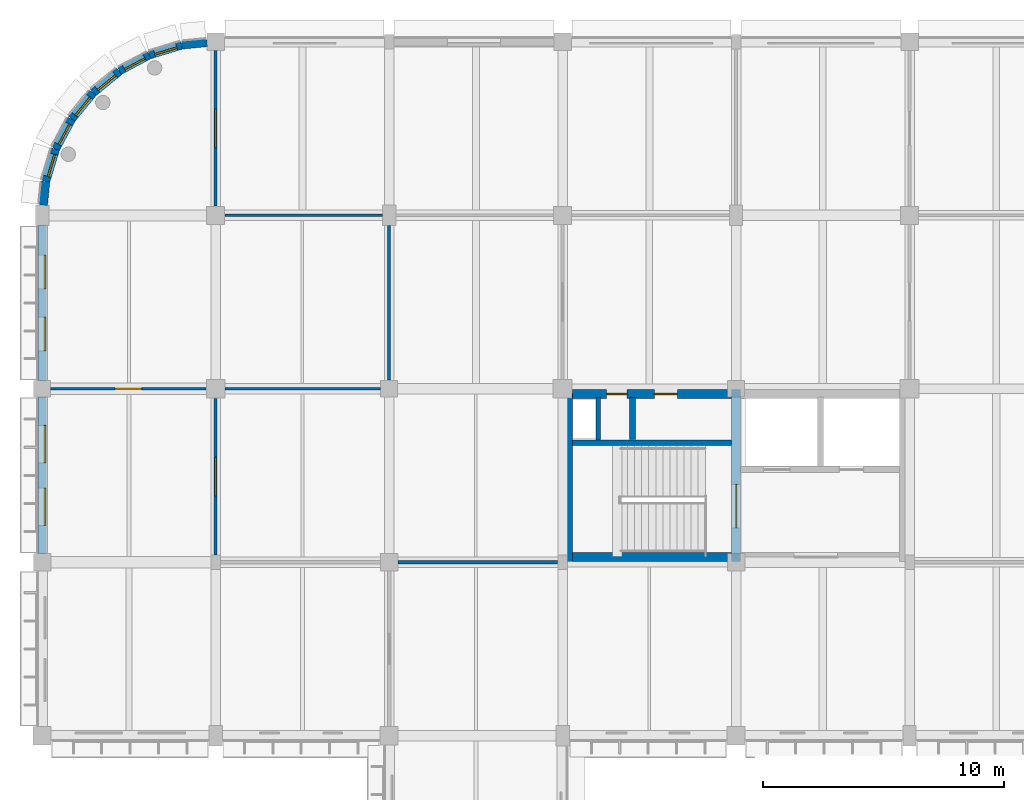
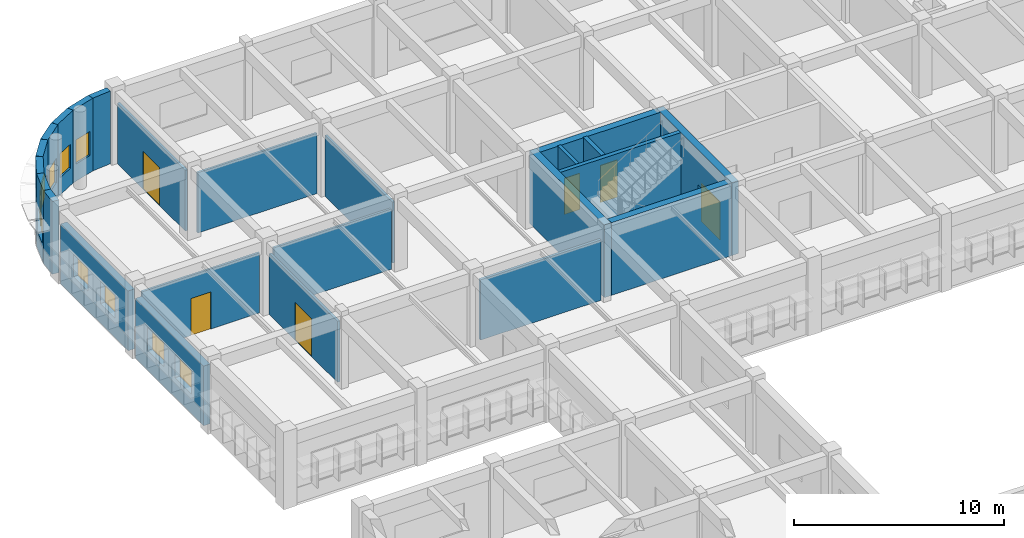
# One storey, part 44 of 61: 24 walls, 10 windows, 6 doors, 16 openings.
"""IFC4 building model written with IfcOpenShell, lengths in metres."""

import ifcopenshell
import ifcopenshell.guid

model = None  # the IFC model being written
_history = None  # IfcOwnerHistory: only IFC2X3 demands one
_inside = {}  # id of a spatial element -> (the spatial element, [elements in it])
_under = {}  # id of a project, library or spatial element -> (it, [spatial elements below it])
_declared = {}  # id of a project -> (the project, [libraries it declares])
_typed = {}  # id of a type object -> (the type object, [elements of that type])
_made_of = {}  # id of a material, layer set ... -> (it, [elements and type objects made of it])


def new_model(schema):
    """Start an empty IFC model of exactly this schema.

    Asked for "IFC4X3", IfcOpenShell would pick the latest addendum, in which some entities
    have other attributes; the version numbers below select the first issue.
    IFC2X3 requires an IfcOwnerHistory on every rooted entity: one is made here for all.
    """
    global model, _history
    if schema == "IFC4X3":
        model = ifcopenshell.file(schema_version=(4, 3, 0, 0))
    else:
        model = ifcopenshell.file(schema=schema)
    _inside.clear()
    _under.clear()
    _declared.clear()
    _typed.clear()
    _made_of.clear()
    _history = None
    if model.schema == "IFC2X3":
        org = make("IfcOrganization", Name="unknown")
        user = make(
            "IfcPersonAndOrganization",
            ThePerson=make("IfcPerson", FamilyName="unknown"),
            TheOrganization=org,
        )
        app = make(
            "IfcApplication",
            ApplicationDeveloper=org,
            Version="unknown",
            ApplicationFullName="unknown",
            ApplicationIdentifier="unknown",
        )
        _history = make(
            "IfcOwnerHistory",
            OwningUser=user,
            OwningApplication=app,
            ChangeAction="ADDED",
            CreationDate=0,
        )
    return model


def make(cls, **values):
    """One entity of the class cls with the attributes given. An attribute that is None is left unset."""
    return model.create_entity(
        cls, **{name: value for name, value in values.items() if value is not None}
    )


def rooted(cls, **values):
    """An entity with a GlobalId (a new one), such as an element, a storey or a relation."""
    return make(cls, GlobalId=ifcopenshell.guid.new(), OwnerHistory=_history, **values)


def si_unit(unit_type, name, prefix=None):
    """IfcSIUnit, for example si_unit("LENGTHUNIT", "METRE", prefix="MILLI")."""
    return make("IfcSIUnit", UnitType=unit_type, Prefix=prefix, Name=name)


def assignment(units):
    """IfcUnitAssignment: the units of a project."""
    return None if units is None else make("IfcUnitAssignment", Units=units)


def point(xyz):
    """IfcCartesianPoint."""
    return None if xyz is None else make("IfcCartesianPoint", Coordinates=xyz)


def direction(xyz):
    """IfcDirection."""
    return None if xyz is None else make("IfcDirection", DirectionRatios=xyz)


def frame(location, z_axis=None, x_axis=None):
    """IfcAxis2Placement3D, a coordinate frame: its origin and axes. An axis left out is left unset."""
    return make(
        "IfcAxis2Placement3D",
        Location=point(location),
        Axis=direction(z_axis),
        RefDirection=direction(x_axis),
    )


def frame_2d(location, x_axis=None):
    """IfcAxis2Placement2D, a coordinate frame in the plane: its origin and x axis."""
    return make(
        "IfcAxis2Placement2D", Location=point(location), RefDirection=direction(x_axis)
    )


def origin():
    """The frame at (0, 0, 0) with its axes left unset."""
    return frame((0.0, 0.0, 0.0))


def place(relative_to, where):
    """IfcLocalPlacement: puts the frame where relative to a parent placement (None: the world)."""
    return make(
        "IfcLocalPlacement", PlacementRelTo=relative_to, RelativePlacement=where
    )


def context(
    kind, dimensions, precision=None, world=None, true_north=None, identifier=None
):
    """IfcGeometricRepresentationContext, for example the 3D "Model" context."""
    return make(
        "IfcGeometricRepresentationContext",
        ContextIdentifier=identifier,
        ContextType=kind,
        CoordinateSpaceDimension=dimensions,
        Precision=precision,
        WorldCoordinateSystem=world,
        TrueNorth=true_north,
    )


def subcontext(parent, identifier, kind, view, scale=None):
    """IfcGeometricRepresentationSubContext, for example "Body" below "Model"."""
    return make(
        "IfcGeometricRepresentationSubContext",
        ContextIdentifier=identifier,
        ContextType=kind,
        ParentContext=parent,
        TargetScale=scale,
        TargetView=view,
    )


def project(units=None, contexts=None):
    """IfcProject with its units and contexts."""
    return rooted(
        "IfcProject",
        Name="project",
        RepresentationContexts=contexts,
        UnitsInContext=assignment(units),
    )


def spatial(cls, under=None, at=None, **own):
    """A site, building, storey or space (cls), placed at a placement, below another one or the project."""
    s = rooted(cls, ObjectPlacement=at, **own)
    if under is not None:
        _under.setdefault(under.id(), (under, []))[1].append(s)
    return s


def profile(cls, at=None, kind="AREA", **sizes):
    """A parametric profile (cls). Its sizes go by their IFC names, for example OverallWidth=200.0."""
    return make(cls, ProfileType=kind, Position=at, **sizes)


def rectangle(**sizes):
    """IfcRectangleProfileDef."""
    return profile("IfcRectangleProfileDef", **sizes)


def extrude(swept, where, along, depth):
    """IfcExtrudedAreaSolid: the profile swept, set in the frame where, extruded along a direction by depth."""
    return make(
        "IfcExtrudedAreaSolid",
        SweptArea=swept,
        Position=where,
        ExtrudedDirection=direction(along),
        Depth=depth,
    )


def shape(context_of_items, identifier, shape_type, items):
    """IfcShapeRepresentation: the items that make up one representation, for example the "Body"."""
    return make(
        "IfcShapeRepresentation",
        ContextOfItems=context_of_items,
        RepresentationIdentifier=identifier,
        RepresentationType=shape_type,
        Items=items,
    )


def material(Name=None, Category=None):
    """IfcMaterial."""
    return make("IfcMaterial", Name=Name, Category=Category)


def layer(
    of_material, thickness, ventilated=None, Name=None, Category=None, Priority=None
):
    """IfcMaterialLayer: one layer of a wall or slab, of a material (None: an air gap)."""
    return make(
        "IfcMaterialLayer",
        Material=of_material,
        LayerThickness=thickness,
        IsVentilated=ventilated,
        Name=Name,
        Category=Category,
        Priority=Priority,
    )


def layer_set(layers, Name=None):
    """IfcMaterialLayerSet."""
    return make("IfcMaterialLayerSet", MaterialLayers=layers, LayerSetName=Name)


def made_of(thing, what):
    """Note that an element or type object is made of a material, layer set ...; save() writes the relation."""
    if what is not None:
        _made_of.setdefault(what.id(), (what, []))[1].append(thing)
    return thing


def type_object(cls, material=None, **own):
    """A type object (cls), such as IfcWallType, which elements share."""
    return made_of(rooted(cls, **own), material)


def element(
    cls,
    number,
    at=None,
    inside=None,
    cuts=None,
    type_object=None,
    material=None,
    context=None,
    identifier="Body",
    shape_type=None,
    held_by="IfcProductDefinitionShape",
    body=None,
    shapes=None,
    **own,
):
    """One element of the class cls, such as IfcWall. Its Tag is "e" and its number.

    at: its placement. inside: the storey or other place that contains it. cuts: it is an
    opening in that element (IfcRelVoidsElement). A single representation is given by context,
    identifier, shape_type and body (its items); several are given by shapes. held_by: the class
    of the entity that holds the representations. save() writes the other relations.
    """
    e = rooted(cls, Tag="e%d" % number, ObjectPlacement=at, **own)
    if body is not None:
        shapes = [shape(context, identifier, shape_type, body)]
    if shapes is not None:
        e.Representation = make(held_by, Representations=shapes)
    if inside is not None:
        _inside.setdefault(inside.id(), (inside, []))[1].append(e)
    if cuts is not None:
        rooted(
            "IfcRelVoidsElement", RelatingBuildingElement=cuts, RelatedOpeningElement=e
        )
    if type_object is not None:
        _typed.setdefault(type_object.id(), (type_object, []))[1].append(e)
    return made_of(e, material)


def fill(opening, filler):
    """IfcRelFillsElement: the door or window that sits in an opening."""
    return rooted(
        "IfcRelFillsElement",
        RelatingOpeningElement=opening,
        RelatedBuildingElement=filler,
    )


def aggregate(whole, parts):
    """IfcRelAggregates: a whole, such as a stair, and the parts it consists of."""
    return rooted("IfcRelAggregates", RelatingObject=whole, RelatedObjects=parts)


def save(model, path):
    """Write the relations noted so far, then the file.

    IfcRelAggregates (storeys below a building ...), IfcRelContainedInSpatialStructure (elements
    in a storey), IfcRelDefinesByType, IfcRelAssociatesMaterial and IfcRelDeclares: one each for
    every whole, place, type object, material and project.
    """
    for whole, parts in _under.values():
        aggregate(whole, parts)
    for where, things in _inside.values():
        rooted(
            "IfcRelContainedInSpatialStructure",
            RelatedElements=things,
            RelatingStructure=where,
        )
    for kind, things in _typed.values():
        rooted("IfcRelDefinesByType", RelatedObjects=things, RelatingType=kind)
    for what, things in _made_of.values():
        rooted("IfcRelAssociatesMaterial", RelatedObjects=things, RelatingMaterial=what)
    for by, libraries in _declared.values():
        rooted("IfcRelDeclares", RelatingContext=by, RelatedDefinitions=libraries)
    model.write(path)


model = new_model("IFC4")

# Units and contexts
model_context = context("Model", 3, precision=1e-05, world=origin(), true_north=direction((0.0, 1.0)))
body_context = subcontext(model_context, "Body", "Model", "MODEL_VIEW")
ifc_project = project(units=[si_unit("LENGTHUNIT", "METRE"), si_unit("AREAUNIT", "SQUARE_METRE"), si_unit("VOLUMEUNIT", "CUBIC_METRE"), si_unit("PLANEANGLEUNIT", "RADIAN"), si_unit("MASSUNIT", "GRAM", prefix="KILO")], contexts=[model_context])

# Site, building, storey
site_placement = place(None, origin())
site = spatial("IfcSite", under=ifc_project, at=site_placement, CompositionType="ELEMENT")
building_placement = place(site_placement, origin())
building = spatial("IfcBuilding", under=site, at=building_placement, Name="Thalmaran Polytechnic", CompositionType="ELEMENT")
storey_placement = place(building_placement, frame((0.0, 0.0, 9.89990234375)))
storey = spatial("IfcBuildingStorey", under=building, at=storey_placement, Name="L02", CompositionType="ELEMENT", Elevation=9.89990234375)

# Wall, openings, windows
ifc_material_1 = material(Name="Precast concrete C40/50", Category="concrete")
ifc_layer_1 = layer(ifc_material_1, 0.360107421875, Name="Precast concrete C40/50")
ifc_layer_set_1 = layer_set([ifc_layer_1], Name="Precast concrete C40/50")
wall_type_1 = type_object("IfcWallType", Name="WL-EW01", PredefinedType="STANDARD", material=ifc_layer_set_1)
wall_1_placement = place(storey_placement, frame((0.0, 101.159912109375, 0.0), z_axis=(0.0, 0.0, 1.0), x_axis=(0.0, 1.0, 0.0)))
wall_1 = element("IfcWall", 1, at=wall_1_placement, inside=storey, type_object=wall_type_1, Name="Exterior Precast Facade Wall L02-019", PredefinedType="STANDARD", context=body_context, shape_type="SweptSolid", body=[
    extrude(rectangle(XDim=6.489990234375, YDim=0.360107421875, at=frame_2d((3.2451171875, 0.0))), origin(), (0.0, 0.0, 1.0), 3.47021484375),
])
opening_1_placement = place(wall_1_placement, frame((1.172119140625, 0.0, 1.14990234375)))
opening_1 = element("IfcOpeningElement", 2, at=opening_1_placement, cuts=wall_1, Name="Opening VW09", PredefinedType="OPENING", context=body_context, shape_type="SweptSolid", body=[
    extrude(rectangle(XDim=1.550048828125, YDim=1.35009765625, at=frame_2d((0.77490234375, 0.675048828125))), frame((0.0, 0.18994140625, 0.0), z_axis=(0.0, -1.0, 0.0), x_axis=(1.0, 0.0, 0.0)), (0.0, 0.0, 1.0), 0.380126953125),
])
opening_2_placement = place(wall_1_placement, frame((3.76806640625, 0.0, 1.14990234375)))
opening_2 = element("IfcOpeningElement", 3, at=opening_2_placement, cuts=wall_1, Name="Opening VW09", PredefinedType="OPENING", context=body_context, shape_type="SweptSolid", body=[
    extrude(rectangle(XDim=1.550048828125, YDim=1.35009765625, at=frame_2d((0.77490234375, 0.675048828125))), frame((0.0, 0.18994140625, 0.0), z_axis=(0.0, -1.0, 0.0), x_axis=(1.0, 0.0, 0.0)), (0.0, 0.0, 1.0), 0.380126953125),
])
ifc_material_2 = material(Name="Thermally broken aluminium and double low-E glass", Category="aluminium")
window_type_1 = type_object("IfcWindowType", Name="WN-VZ09", PartitioningType="SINGLE_PANEL", PredefinedType="WINDOW", material=ifc_material_2)
window_1_placement = place(opening_1_placement, origin())
window_1 = element("IfcWindow", 4, at=window_1_placement, inside=storey, type_object=window_type_1, Name="Deep-Set Solar-Screened Window W-0219", OverallHeight=1.35009765625, OverallWidth=1.550048828125, PartitioningType="SINGLE_PANEL", PredefinedType="WINDOW", context=body_context, shape_type="SweptSolid", body=[
    extrude(rectangle(XDim=1.550048828125, YDim=1.35009765625, at=frame_2d((0.77490234375, 0.675048828125))), frame((0.0, -0.080078125, 0.0), z_axis=(0.0, -1.0, 0.0), x_axis=(1.0, 0.0, 0.0)), (0.0, 0.0, 1.0), 0.06005859375),
])
fill(opening_1, window_1)
window_2_placement = place(opening_2_placement, origin())
window_2 = element("IfcWindow", 5, at=window_2_placement, inside=storey, type_object=window_type_1, Name="Deep-Set Solar-Screened Window W-0220", OverallHeight=1.35009765625, OverallWidth=1.550048828125, PartitioningType="SINGLE_PANEL", PredefinedType="WINDOW", context=body_context, shape_type="SweptSolid", body=[
    extrude(rectangle(XDim=1.550048828125, YDim=1.35009765625, at=frame_2d((0.77490234375, 0.675048828125))), frame((0.0, -0.080078125, 0.0), z_axis=(0.0, -1.0, 0.0), x_axis=(1.0, 0.0, 0.0)), (0.0, 0.0, 1.0), 0.06005859375),
])
fill(opening_2, window_2)

wall_2_placement = place(storey_placement, frame((0.0, 108.35009765625, 0.0), z_axis=(0.0, 0.0, 1.0), x_axis=(0.0, 1.0, 0.0)))
wall_2 = element("IfcWall", 6, at=wall_2_placement, inside=storey, type_object=wall_type_1, Name="Exterior Precast Facade Wall L02-020", PredefinedType="STANDARD", context=body_context, shape_type="SweptSolid", body=[
    extrude(rectangle(XDim=6.4248046875, YDim=0.360107421875, at=frame_2d((3.21240234375, 0.0))), origin(), (0.0, 0.0, 1.0), 3.47021484375),
])
opening_3_placement = place(wall_2_placement, frame((1.2275390625, 0.0, 1.14990234375)))
opening_3 = element("IfcOpeningElement", 7, at=opening_3_placement, cuts=wall_2, Name="Opening VW10", PredefinedType="OPENING", context=body_context, shape_type="SweptSolid", body=[
    extrude(rectangle(XDim=1.39990234375, YDim=1.300048828125, at=frame_2d((0.699951171875, 0.64990234375))), frame((0.0, 0.18994140625, 0.0), z_axis=(0.0, -1.0, 0.0), x_axis=(1.0, 0.0, 0.0)), (0.0, 0.0, 1.0), 0.380126953125),
])
opening_4_placement = place(wall_2_placement, frame((3.797607421875, 0.0, 1.14990234375)))
opening_4 = element("IfcOpeningElement", 8, at=opening_4_placement, cuts=wall_2, Name="Opening VW10", PredefinedType="OPENING", context=body_context, shape_type="SweptSolid", body=[
    extrude(rectangle(XDim=1.39990234375, YDim=1.300048828125, at=frame_2d((0.699951171875, 0.64990234375))), frame((0.0, 0.18994140625, 0.0), z_axis=(0.0, -1.0, 0.0), x_axis=(1.0, 0.0, 0.0)), (0.0, 0.0, 1.0), 0.380126953125),
])
window_type_2 = type_object("IfcWindowType", Name="WN-VZ10", PartitioningType="SINGLE_PANEL", PredefinedType="WINDOW", material=ifc_material_2)
window_3_placement = place(opening_3_placement, origin())
window_3 = element("IfcWindow", 9, at=window_3_placement, inside=storey, type_object=window_type_2, Name="Deep-Set Solar-Screened Window W-0221", OverallHeight=1.300048828125, OverallWidth=1.39990234375, PartitioningType="SINGLE_PANEL", PredefinedType="WINDOW", context=body_context, shape_type="SweptSolid", body=[
    extrude(rectangle(XDim=1.39990234375, YDim=1.300048828125, at=frame_2d((0.699951171875, 0.64990234375))), frame((0.0, -0.080078125, 0.0), z_axis=(0.0, -1.0, 0.0), x_axis=(1.0, 0.0, 0.0)), (0.0, 0.0, 1.0), 0.06005859375),
])
fill(opening_3, window_3)
window_4_placement = place(opening_4_placement, origin())
window_4 = element("IfcWindow", 10, at=window_4_placement, inside=storey, type_object=window_type_2, Name="Deep-Set Solar-Screened Window W-0222", OverallHeight=1.300048828125, OverallWidth=1.39990234375, PartitioningType="SINGLE_PANEL", PredefinedType="WINDOW", context=body_context, shape_type="SweptSolid", body=[
    extrude(rectangle(XDim=1.39990234375, YDim=1.300048828125, at=frame_2d((0.699951171875, 0.64990234375))), frame((0.0, -0.080078125, 0.0), z_axis=(0.0, -1.0, 0.0), x_axis=(1.0, 0.0, 0.0)), (0.0, 0.0, 1.0), 0.06005859375),
])
fill(opening_4, window_4)

# Wall
wall_3_placement = place(storey_placement, frame((0.041748046875, 115.623046875, 0.0), z_axis=(0.0, 0.0, 1.0), x_axis=(0.09800882272, 0.99518554585, 0.0)))
element("IfcWall", 11, at=wall_3_placement, inside=storey, type_object=wall_type_1, Name="Exterior Precast Facade Wall L02-021", PredefinedType="STANDARD", context=body_context, shape_type="SweptSolid", body=[
    extrude(rectangle(XDim=0.986328125, YDim=0.360107421875, at=frame_2d((0.4931640625, 0.0))), origin(), (0.0, 0.0, 1.0), 4.22509765625),
])

# Wall, opening, window
wall_4_placement = place(storey_placement, frame((0.138427734375, 116.604736328125, 0.0), z_axis=(0.0, 0.0, 1.0), x_axis=(0.290266641956, 0.956945806495, 0.0)))
wall_4 = element("IfcWall", 12, at=wall_4_placement, inside=storey, type_object=wall_type_1, Name="Exterior Precast Facade Wall L02-022", PredefinedType="STANDARD", context=body_context, shape_type="SweptSolid", body=[
    extrude(rectangle(XDim=1.411376953125, YDim=0.360107421875, at=frame_2d((0.70556640625, 0.0))), origin(), (0.0, 0.0, 1.0), 4.22509765625),
])
opening_5_placement = place(wall_4_placement, frame((0.2255859375, 0.0, 1.0)))
opening_5 = element("IfcOpeningElement", 13, at=opening_5_placement, cuts=wall_4, Name="Opening CR01", PredefinedType="OPENING", context=body_context, shape_type="SweptSolid", body=[
    extrude(rectangle(XDim=0.9599609375, YDim=1.39990234375, at=frame_2d((0.47998046875, 0.699951171875))), frame((0.0, 0.18994140625, 0.0), z_axis=(0.0, -1.0, 0.0), x_axis=(1.0, 0.0, 0.0)), (0.0, 0.0, 1.0), 0.380126953125),
])
window_type_3 = type_object("IfcWindowType", Name="WN-CR01", PartitioningType="SINGLE_PANEL", PredefinedType="WINDOW", material=ifc_material_2)
window_5_placement = place(opening_5_placement, origin())
window_5 = element("IfcWindow", 14, at=window_5_placement, inside=storey, type_object=window_type_3, Name="Curved Prow Ribbon Window W-0223", OverallHeight=1.39990234375, OverallWidth=0.9599609375, PartitioningType="SINGLE_PANEL", PredefinedType="WINDOW", context=body_context, shape_type="SweptSolid", body=[
    extrude(rectangle(XDim=0.9599609375, YDim=1.39990234375, at=frame_2d((0.47998046875, 0.699951171875))), frame((0.0, -0.010009765625, 0.0), z_axis=(0.0, -1.0, 0.0), x_axis=(1.0, 0.0, 0.0)), (0.0, 0.0, 1.0), 0.06005859375),
])
fill(opening_5, window_5)

wall_5_placement = place(storey_placement, frame((0.548095703125, 117.955322265625, 0.0), z_axis=(0.0, 0.0, 1.0), x_axis=(0.471333199182, 0.881955222984, 0.0)))
wall_5 = element("IfcWall", 15, at=wall_5_placement, inside=storey, type_object=wall_type_1, Name="Exterior Precast Facade Wall L02-023", PredefinedType="STANDARD", context=body_context, shape_type="SweptSolid", body=[
    extrude(rectangle(XDim=1.411376953125, YDim=0.360107421875, at=frame_2d((0.70556640625, 0.0))), origin(), (0.0, 0.0, 1.0), 4.22509765625),
])
opening_6_placement = place(wall_5_placement, frame((0.2255859375, 0.0, 1.0)))
opening_6 = element("IfcOpeningElement", 16, at=opening_6_placement, cuts=wall_5, Name="Opening CR01", PredefinedType="OPENING", context=body_context, shape_type="SweptSolid", body=[
    extrude(rectangle(XDim=0.9599609375, YDim=1.39990234375, at=frame_2d((0.47998046875, 0.699951171875))), frame((0.0, 0.18994140625, 0.0), z_axis=(0.0, -1.0, 0.0), x_axis=(1.0, 0.0, 0.0)), (0.0, 0.0, 1.0), 0.380126953125),
])
window_6_placement = place(opening_6_placement, origin())
window_6 = element("IfcWindow", 17, at=window_6_placement, inside=storey, type_object=window_type_3, Name="Curved Prow Ribbon Window W-0224", OverallHeight=1.39990234375, OverallWidth=0.9599609375, PartitioningType="SINGLE_PANEL", PredefinedType="WINDOW", context=body_context, shape_type="SweptSolid", body=[
    extrude(rectangle(XDim=0.9599609375, YDim=1.39990234375, at=frame_2d((0.47998046875, 0.699951171875))), frame((0.0, -0.010009765625, 0.0), z_axis=(0.0, -1.0, 0.0), x_axis=(1.0, 0.0, 0.0)), (0.0, 0.0, 1.0), 0.06005859375),
])
fill(opening_6, window_6)

wall_6_placement = place(storey_placement, frame((1.21337890625, 119.2001953125, 0.0), z_axis=(0.0, 0.0, 1.0), x_axis=(0.634433227965, 0.772977670605, 0.0)))
wall_6 = element("IfcWall", 18, at=wall_6_placement, inside=storey, type_object=wall_type_1, Name="Exterior Precast Facade Wall L02-024", PredefinedType="STANDARD", context=body_context, shape_type="SweptSolid", body=[
    extrude(rectangle(XDim=1.41162109375, YDim=0.360107421875, at=frame_2d((0.705810546875, 0.0))), origin(), (0.0, 0.0, 1.0), 4.22509765625),
])
opening_7_placement = place(wall_6_placement, frame((0.2255859375, 0.0, 1.0)))
opening_7 = element("IfcOpeningElement", 19, at=opening_7_placement, cuts=wall_6, Name="Opening CR01", PredefinedType="OPENING", context=body_context, shape_type="SweptSolid", body=[
    extrude(rectangle(XDim=0.9599609375, YDim=1.39990234375, at=frame_2d((0.47998046875, 0.699951171875))), frame((0.0, 0.18994140625, 0.0), z_axis=(0.0, -1.0, 0.0), x_axis=(1.0, 0.0, 0.0)), (0.0, 0.0, 1.0), 0.380126953125),
])
window_7_placement = place(opening_7_placement, origin())
window_7 = element("IfcWindow", 20, at=window_7_placement, inside=storey, type_object=window_type_3, Name="Curved Prow Ribbon Window W-0225", OverallHeight=1.39990234375, OverallWidth=0.9599609375, PartitioningType="SINGLE_PANEL", PredefinedType="WINDOW", context=body_context, shape_type="SweptSolid", body=[
    extrude(rectangle(XDim=0.9599609375, YDim=1.39990234375, at=frame_2d((0.47998046875, 0.699951171875))), frame((0.0, -0.010009765625, 0.0), z_axis=(0.0, -1.0, 0.0), x_axis=(1.0, 0.0, 0.0)), (0.0, 0.0, 1.0), 0.06005859375),
])
fill(opening_7, window_7)

wall_7_placement = place(storey_placement, frame((2.10888671875, 120.291259765625, 0.0), z_axis=(0.0, 0.0, 1.0), x_axis=(0.773062495189, 0.63432986571, 0.0)))
wall_7 = element("IfcWall", 21, at=wall_7_placement, inside=storey, type_object=wall_type_1, Name="Exterior Precast Facade Wall L02-025", PredefinedType="STANDARD", context=body_context, shape_type="SweptSolid", body=[
    extrude(rectangle(XDim=1.411376953125, YDim=0.360107421875, at=frame_2d((0.70556640625, 0.0))), origin(), (0.0, 0.0, 1.0), 4.22509765625),
])
opening_8_placement = place(wall_7_placement, frame((0.2255859375, 0.0, 1.0)))
opening_8 = element("IfcOpeningElement", 22, at=opening_8_placement, cuts=wall_7, Name="Opening CR01", PredefinedType="OPENING", context=body_context, shape_type="SweptSolid", body=[
    extrude(rectangle(XDim=0.9599609375, YDim=1.39990234375, at=frame_2d((0.47998046875, 0.699951171875))), frame((0.0, 0.18994140625, 0.0), z_axis=(0.0, -1.0, 0.0), x_axis=(1.0, 0.0, 0.0)), (0.0, 0.0, 1.0), 0.380126953125),
])
window_8_placement = place(opening_8_placement, origin())
window_8 = element("IfcWindow", 23, at=window_8_placement, inside=storey, type_object=window_type_3, Name="Curved Prow Ribbon Window W-0226", OverallHeight=1.39990234375, OverallWidth=0.9599609375, PartitioningType="SINGLE_PANEL", PredefinedType="WINDOW", context=body_context, shape_type="SweptSolid", body=[
    extrude(rectangle(XDim=0.9599609375, YDim=1.39990234375, at=frame_2d((0.47998046875, 0.699951171875))), frame((0.0, -0.010009765625, 0.0), z_axis=(0.0, -1.0, 0.0), x_axis=(1.0, 0.0, 0.0)), (0.0, 0.0, 1.0), 0.06005859375),
])
fill(opening_8, window_8)

ifc_layer_2 = layer(ifc_material_1, 0.330078125, Name="Precast concrete C40/50")
ifc_layer_set_2 = layer_set([ifc_layer_2], Name="Precast concrete C40/50")
wall_type_2 = type_object("IfcWallType", Name="WL-EW02", PredefinedType="STANDARD", material=ifc_layer_set_2)
wall_8_placement = place(storey_placement, frame((3.199951171875, 121.1865234375, 0.0), z_axis=(0.0, 0.0, 1.0), x_axis=(0.881844864465, 0.471539643102, 0.0)))
wall_8 = element("IfcWall", 24, at=wall_8_placement, inside=storey, type_object=wall_type_2, Name="Exterior Precast Facade Wall L02-026", PredefinedType="STANDARD", context=body_context, shape_type="SweptSolid", body=[
    extrude(rectangle(XDim=1.411376953125, YDim=0.330078125, at=frame_2d((0.70556640625, 0.0))), origin(), (0.0, 0.0, 1.0), 4.22509765625),
])
opening_9_placement = place(wall_8_placement, frame((0.2255859375, 0.0, 1.0)))
opening_9 = element("IfcOpeningElement", 25, at=opening_9_placement, cuts=wall_8, Name="Opening CR01", PredefinedType="OPENING", context=body_context, shape_type="SweptSolid", body=[
    extrude(rectangle(XDim=0.9599609375, YDim=1.39990234375, at=frame_2d((0.47998046875, 0.699951171875))), frame((0.0, 0.175048828125, 0.0), z_axis=(0.0, -1.0, 0.0), x_axis=(1.0, 0.0, 0.0)), (0.0, 0.0, 1.0), 0.35009765625),
])
window_9_placement = place(opening_9_placement, origin())
window_9 = element("IfcWindow", 26, at=window_9_placement, inside=storey, type_object=window_type_3, Name="Curved Prow Ribbon Window W-0227", OverallHeight=1.39990234375, OverallWidth=0.9599609375, PartitioningType="SINGLE_PANEL", PredefinedType="WINDOW", context=body_context, shape_type="SweptSolid", body=[
    extrude(rectangle(XDim=0.9599609375, YDim=1.39990234375, at=frame_2d((0.47998046875, 0.699951171875))), frame((0.0, -0.010009765625, 0.0), z_axis=(0.0, -1.0, 0.0), x_axis=(1.0, 0.0, 0.0)), (0.0, 0.0, 1.0), 0.06005859375),
])
fill(opening_9, window_9)

wall_9_placement = place(storey_placement, frame((4.444580078125, 121.85205078125, 0.0), z_axis=(0.0, 0.0, 1.0), x_axis=(0.95696037757, 0.290218599957, 0.0)))
wall_9 = element("IfcWall", 27, at=wall_9_placement, inside=storey, type_object=wall_type_2, Name="Exterior Precast Facade Wall L02-027", PredefinedType="STANDARD", context=body_context, shape_type="SweptSolid", body=[
    extrude(rectangle(XDim=1.41162109375, YDim=0.330078125, at=frame_2d((0.705810546875, 0.0))), origin(), (0.0, 0.0, 1.0), 4.22509765625),
])
opening_10_placement = place(wall_9_placement, frame((0.2255859375, 0.0, 1.0)))
opening_10 = element("IfcOpeningElement", 28, at=opening_10_placement, cuts=wall_9, Name="Opening CR01", PredefinedType="OPENING", context=body_context, shape_type="SweptSolid", body=[
    extrude(rectangle(XDim=0.9599609375, YDim=1.39990234375, at=frame_2d((0.47998046875, 0.699951171875))), frame((0.0, 0.175048828125, 0.0), z_axis=(0.0, -1.0, 0.0), x_axis=(1.0, 0.0, 0.0)), (0.0, 0.0, 1.0), 0.35009765625),
])
window_10_placement = place(opening_10_placement, origin())
window_10 = element("IfcWindow", 29, at=window_10_placement, inside=storey, type_object=window_type_3, Name="Curved Prow Ribbon Window W-0228", OverallHeight=1.39990234375, OverallWidth=0.9599609375, PartitioningType="SINGLE_PANEL", PredefinedType="WINDOW", context=body_context, shape_type="SweptSolid", body=[
    extrude(rectangle(XDim=0.9599609375, YDim=1.39990234375, at=frame_2d((0.47998046875, 0.699951171875))), frame((0.0, -0.010009765625, 0.0), z_axis=(0.0, -1.0, 0.0), x_axis=(1.0, 0.0, 0.0)), (0.0, 0.0, 1.0), 0.06005859375),
])
fill(opening_10, window_10)

# Walls
wall_10_placement = place(storey_placement, frame((5.79541015625, 122.26171875, 0.0), z_axis=(0.0, 0.0, 1.0), x_axis=(0.995187764733, 0.097986289481, 0.0)))
element("IfcWall", 30, at=wall_10_placement, inside=storey, type_object=wall_type_2, Name="Exterior Precast Facade Wall L02-028", PredefinedType="STANDARD", context=body_context, shape_type="SweptSolid", body=[
    extrude(rectangle(XDim=1.051513671875, YDim=0.330078125, at=frame_2d((0.52587890625, 0.0))), origin(), (0.0, 0.0, 1.0), 4.22509765625),
])
ifc_material_3 = material(Name="Autoclaved aerated masonry", Category="masonry")
ifc_layer_3 = layer(ifc_material_3, 0.22998046875, Name="Autoclaved aerated masonry")
ifc_layer_set_3 = layer_set([ifc_layer_3], Name="Autoclaved aerated masonry")
wall_type_3 = type_object("IfcWallType", Name="WL-IW02", PredefinedType="PARTITIONING", material=ifc_layer_set_3)
wall_11_placement = place(storey_placement, frame((24.5, 105.89990234375, 0.0), z_axis=(0.0, 0.0, 1.0), x_axis=(0.0, 1.0, 0.0)))
element("IfcWall", 31, at=wall_11_placement, inside=storey, type_object=wall_type_3, Name="Core C2 Riser Partition L02", PredefinedType="PARTITIONING", context=body_context, shape_type="SweptSolid", body=[
    extrude(rectangle(XDim=1.739990234375, YDim=0.22998046875, at=frame_2d((0.8701171875, 0.0))), origin(), (0.0, 0.0, 1.0), 4.22509765625),
])
ifc_layer_4 = layer(ifc_material_3, 0.179931640625, Name="Autoclaved aerated masonry")
ifc_layer_set_4 = layer_set([ifc_layer_4], Name="Autoclaved aerated masonry")
wall_type_4 = type_object("IfcWallType", Name="WL-IW04", PredefinedType="PARTITIONING", material=ifc_layer_set_4)
wall_12_placement = place(storey_placement, frame((23.080078125, 105.8798828125, 0.0), z_axis=(0.0, 0.0, 1.0), x_axis=(0.0, 1.0, 0.0)))
element("IfcWall", 32, at=wall_12_placement, inside=storey, type_object=wall_type_4, Name="Core C2 Riser Shaft Enclosure Wall L02", PredefinedType="PARTITIONING", context=body_context, shape_type="SweptSolid", body=[
    extrude(rectangle(XDim=1.760009765625, YDim=0.179931640625, at=frame_2d((0.8798828125, 0.0))), origin(), (0.0, 0.0, 1.0), 4.22509765625),
])
ifc_material_4 = material(Name="Gypsum acoustic partition")
ifc_layer_5 = layer(ifc_material_4, 0.14501953125, Name="Gypsum acoustic partition")
ifc_layer_set_5 = layer_set([ifc_layer_5], Name="Gypsum acoustic partition")
wall_type_5 = type_object("IfcWallType", Name="WL-IW06", PredefinedType="PARTITIONING", material=ifc_layer_set_5)
wall_13_placement = place(storey_placement, frame((14.764892578125, 100.800048828125, 0.0), z_axis=(0.0, 0.0, 1.0), x_axis=(1.0, 0.0, 0.0)))
element("IfcWall", 33, at=wall_13_placement, inside=storey, type_object=wall_type_5, Name="Interior Partition IW06 L02-035", PredefinedType="PARTITIONING", context=body_context, shape_type="SweptSolid", body=[
    extrude(rectangle(XDim=6.630126953125, YDim=0.14501953125, at=frame_2d((3.31494140625, 0.0))), origin(), (0.0, 0.0, 1.0), 3.505126953125),
])

# Wall, opening, door
ifc_layer_6 = layer(ifc_material_4, 0.1298828125, Name="Gypsum acoustic partition")
ifc_layer_set_6 = layer_set([ifc_layer_6], Name="Gypsum acoustic partition")
wall_type_6 = type_object("IfcWallType", Name="WL-IW07", PredefinedType="PARTITIONING", material=ifc_layer_set_6)
wall_14_placement = place(storey_placement, frame((7.199951171875, 101.10498046875, 0.0), z_axis=(0.0, 0.0, 1.0), x_axis=(0.0, 1.0, 0.0)))
wall_14 = element("IfcWall", 34, at=wall_14_placement, inside=storey, type_object=wall_type_6, Name="Interior Partition IW07 L02-014", PredefinedType="PARTITIONING", context=body_context, shape_type="SweptSolid", body=[
    extrude(rectangle(XDim=6.5, YDim=0.1298828125, at=frame_2d((3.25, 0.0))), origin(), (0.0, 0.0, 1.0), 3.5400390625),
])
opening_11_placement = place(wall_14_placement, frame((2.449951171875, 0.0, 0.0)))
opening_11 = element("IfcOpeningElement", 35, at=opening_11_placement, cuts=wall_14, Name="Opening D-L02-016-2-03-1", PredefinedType="OPENING", context=body_context, shape_type="SweptSolid", body=[
    extrude(rectangle(XDim=1.60009765625, YDim=2.199951171875, at=frame_2d((0.800048828125, 1.10009765625))), frame((0.0, 0.074951171875, 0.0), z_axis=(0.0, -1.0, 0.0), x_axis=(1.0, 0.0, 0.0)), (0.0, 0.0, 1.0), 0.14990234375),
])
ifc_material_5 = material(Name="Powder-coated fire-rated steel", Category="steel")
door_type_1 = type_object("IfcDoorType", Name="DR-FD05", OperationType="NOTDEFINED", PredefinedType="DOOR", material=ifc_material_5)
door_1_placement = place(opening_11_placement, origin())
door_1 = element("IfcDoor", 36, at=door_1_placement, inside=storey, type_object=door_type_1, Name="Technical Reference Library Reading Room L02-03 Door 1", OperationType="DOUBLE_DOOR_SINGLE_SWING", OverallHeight=2.199951171875, OverallWidth=1.60009765625, PredefinedType="DOOR", context=body_context, shape_type="SweptSolid", body=[
    extrude(rectangle(XDim=1.60009765625, YDim=2.199951171875, at=frame_2d((0.800048828125, 1.10009765625))), frame((0.0, 0.02490234375, 0.0), z_axis=(0.0, -1.0, 0.0), x_axis=(1.0, 0.0, 0.0)), (0.0, 0.0, 1.0), 0.050048828125),
])
fill(opening_11, door_1)

wall_15_placement = place(storey_placement, frame((7.199951171875, 115.580078125, 0.0), z_axis=(0.0, 0.0, 1.0), x_axis=(0.0, 1.0, 0.0)))
wall_15 = element("IfcWall", 37, at=wall_15_placement, inside=storey, type_object=wall_type_6, Name="Interior Partition IW07 L02-016", PredefinedType="PARTITIONING", context=body_context, shape_type="SweptSolid", body=[
    extrude(rectangle(XDim=6.454833984375, YDim=0.1298828125, at=frame_2d((3.2275390625, 0.0))), origin(), (0.0, 0.0, 1.0), 3.530029296875),
])
opening_12_placement = place(wall_15_placement, frame((2.427490234375, 0.0, 0.0)))
opening_12 = element("IfcOpeningElement", 38, at=opening_12_placement, cuts=wall_15, Name="Opening D-L02-017-2-04-1", PredefinedType="OPENING", context=body_context, shape_type="SweptSolid", body=[
    extrude(rectangle(XDim=1.60009765625, YDim=2.199951171875, at=frame_2d((0.800048828125, 1.10009765625))), frame((0.0, 0.074951171875, 0.0), z_axis=(0.0, -1.0, 0.0), x_axis=(1.0, 0.0, 0.0)), (0.0, 0.0, 1.0), 0.14990234375),
])
door_2_placement = place(opening_12_placement, origin())
door_2 = element("IfcDoor", 39, at=door_2_placement, inside=storey, type_object=door_type_1, Name="Polytechnic Library Reading Hall L02-04 Door 1", OperationType="DOUBLE_DOOR_SINGLE_SWING", OverallHeight=2.199951171875, OverallWidth=1.60009765625, PredefinedType="DOOR", context=body_context, shape_type="SweptSolid", body=[
    extrude(rectangle(XDim=1.60009765625, YDim=2.199951171875, at=frame_2d((0.800048828125, 1.10009765625))), frame((0.0, 0.02490234375, 0.0), z_axis=(0.0, -1.0, 0.0), x_axis=(1.0, 0.0, 0.0)), (0.0, 0.0, 1.0), 0.050048828125),
])
fill(opening_12, door_2)

# Wall
wall_16_placement = place(storey_placement, frame((14.39990234375, 108.35498046875, 0.0), z_axis=(0.0, 0.0, 1.0), x_axis=(0.0, 1.0, 0.0)))
element("IfcWall", 40, at=wall_16_placement, inside=storey, type_object=wall_type_6, Name="Interior Partition IW07 L02-030", PredefinedType="PARTITIONING", context=body_context, shape_type="SweptSolid", body=[
    extrude(rectangle(XDim=6.4150390625, YDim=0.1298828125, at=frame_2d((3.20751953125, 0.0))), origin(), (0.0, 0.0, 1.0), 3.53515625),
])

# Wall, opening, door
ifc_layer_7 = layer(ifc_material_4, 0.114990234375, Name="Gypsum acoustic partition")
ifc_layer_set_7 = layer_set([ifc_layer_7], Name="Gypsum acoustic partition")
wall_type_7 = type_object("IfcWallType", Name="WL-IW08", PredefinedType="PARTITIONING", material=ifc_layer_set_7)
wall_17_placement = place(storey_placement, frame((0.35498046875, 108.0, 0.0), z_axis=(0.0, 0.0, 1.0), x_axis=(1.0, 0.0, 0.0)))
wall_17 = element("IfcWall", 41, at=wall_17_placement, inside=storey, type_object=wall_type_7, Name="Interior Partition IW08 L02-015", PredefinedType="PARTITIONING", context=body_context, shape_type="SweptSolid", body=[
    extrude(rectangle(XDim=6.449951171875, YDim=0.114990234375, at=frame_2d((3.22509765625, 0.0))), origin(), (0.0, 0.0, 1.0), 3.485107421875),
])
opening_13_placement = place(wall_17_placement, frame((2.675048828125, 0.0, 0.0)))
opening_13 = element("IfcOpeningElement", 42, at=opening_13_placement, cuts=wall_17, Name="Opening D-L02-015-2-02-1", PredefinedType="OPENING", context=body_context, shape_type="SweptSolid", body=[
    extrude(rectangle(XDim=1.10009765625, YDim=2.14990234375, at=frame_2d((0.550048828125, 1.074951171875))), frame((0.0, 0.0673828125, 0.0), z_axis=(0.0, -1.0, 0.0), x_axis=(1.0, 0.0, 0.0)), (0.0, 0.0, 1.0), 0.135009765625),
])
door_type_2 = type_object("IfcDoorType", Name="DR-FD07", OperationType="NOTDEFINED", PredefinedType="DOOR", material=ifc_material_5)
door_3_placement = place(opening_13_placement, origin())
door_3 = element("IfcDoor", 43, at=door_3_placement, inside=storey, type_object=door_type_2, Name="Urban Design Studio L02-02 Door 1", OperationType="SINGLE_SWING_RIGHT", OverallHeight=2.14990234375, OverallWidth=1.10009765625, PredefinedType="DOOR", context=body_context, shape_type="SweptSolid", body=[
    extrude(rectangle(XDim=1.10009765625, YDim=2.14990234375, at=frame_2d((0.550048828125, 1.074951171875))), frame((0.0, 0.02490234375, 0.0), z_axis=(0.0, -1.0, 0.0), x_axis=(1.0, 0.0, 0.0)), (0.0, 0.0, 1.0), 0.050048828125),
])
fill(opening_13, door_3)

# Walls
wall_18_placement = place(storey_placement, frame((7.594970703125, 108.0, 0.0), z_axis=(0.0, 0.0, 1.0), x_axis=(1.0, 0.0, 0.0)))
element("IfcWall", 44, at=wall_18_placement, inside=storey, type_object=wall_type_7, Name="Interior Partition IW08 L02-029", PredefinedType="PARTITIONING", context=body_context, shape_type="SweptSolid", body=[
    extrude(rectangle(XDim=6.449951171875, YDim=0.114990234375, at=frame_2d((3.22509765625, 0.0))), origin(), (0.0, 0.0, 1.0), 3.5),
])
wall_19_placement = place(storey_placement, frame((7.580078125, 115.199951171875, 0.0), z_axis=(0.0, 0.0, 1.0), x_axis=(1.0, 0.0, 0.0)))
element("IfcWall", 45, at=wall_19_placement, inside=storey, type_object=wall_type_7, Name="Interior Partition IW08 L02-031", PredefinedType="PARTITIONING", context=body_context, shape_type="SweptSolid", body=[
    extrude(rectangle(XDim=6.5400390625, YDim=0.114990234375, at=frame_2d((3.27001953125, 0.0))), origin(), (0.0, 0.0, 1.0), 3.5),
])
ifc_material_6 = material(Name="Concrete C50/60", Category="concrete")
ifc_layer_8 = layer(ifc_material_6, 0.3798828125, Name="Concrete C50/60")
ifc_layer_set_8 = layer_set([ifc_layer_8], Name="Concrete C50/60")
wall_type_8 = type_object("IfcWallType", Name="WL-SW02", PredefinedType="SHEAR", material=ifc_layer_set_8)
wall_20_placement = place(storey_placement, frame((22.010009765625, 101.02001953125, 0.0), z_axis=(0.0, 0.0, 1.0), x_axis=(1.0, 0.0, 0.0)))
element("IfcWall", 46, at=wall_20_placement, inside=storey, type_object=wall_type_8, Name="Core C2 South Shear Wall L02", PredefinedType="SHEAR", context=body_context, shape_type="SweptSolid", body=[
    extrude(rectangle(XDim=6.60009765625, YDim=0.3798828125, at=frame_2d((3.300048828125, 0.0))), origin(), (0.0, 0.0, 1.0), 4.22509765625),
])
wall_21_placement = place(storey_placement, frame((21.820068359375, 107.969970703125, 0.0), z_axis=(0.0, 0.0, 1.0), x_axis=(0.0, -1.0, 0.0)))
element("IfcWall", 47, at=wall_21_placement, inside=storey, type_object=wall_type_8, Name="Core C2 West Shear Wall L02", PredefinedType="SHEAR", context=body_context, shape_type="SweptSolid", body=[
    extrude(rectangle(XDim=7.139892578125, YDim=0.3798828125, at=frame_2d((3.56982421875, 0.0))), origin(), (0.0, 0.0, 1.0), 4.22509765625),
])

# Wall, openings, doors
wall_22_placement = place(storey_placement, frame((22.010009765625, 107.780029296875, 0.0), z_axis=(0.0, 0.0, 1.0), x_axis=(1.0, 0.0, 0.0)))
wall_22 = element("IfcWall", 48, at=wall_22_placement, inside=storey, type_object=wall_type_8, Name="Core C2 North Shear Wall L02", PredefinedType="SHEAR", context=body_context, shape_type="SweptSolid", body=[
    extrude(rectangle(XDim=6.60009765625, YDim=0.3798828125, at=frame_2d((3.300048828125, 0.0))), origin(), (0.0, 0.0, 1.0), 4.22509765625),
])
opening_14_placement = place(wall_22_placement, frame((1.419921875, 0.0, 0.0)))
opening_14 = element("IfcOpeningElement", 49, at=opening_14_placement, cuts=wall_22, Name="Opening DR-C2-L02-R", PredefinedType="OPENING", context=body_context, shape_type="SweptSolid", body=[
    extrude(rectangle(XDim=0.85009765625, YDim=2.10009765625, at=frame_2d((0.425048828125, 1.050048828125))), frame((0.0, 0.199951171875, 0.0), z_axis=(0.0, -1.0, 0.0), x_axis=(1.0, 0.0, 0.0)), (0.0, 0.0, 1.0), 0.39990234375),
])
opening_15_placement = place(wall_22_placement, frame((3.39990234375, 0.0, 0.0)))
opening_15 = element("IfcOpeningElement", 50, at=opening_15_placement, cuts=wall_22, Name="Opening ED-C2-L02-E", PredefinedType="OPENING", context=body_context, shape_type="SweptSolid", body=[
    extrude(rectangle(XDim=0.949951171875, YDim=2.14990234375, at=frame_2d((0.47509765625, 1.074951171875))), frame((0.0, 0.199951171875, 0.0), z_axis=(0.0, -1.0, 0.0), x_axis=(1.0, 0.0, 0.0)), (0.0, 0.0, 1.0), 0.39990234375),
])
door_type_3 = type_object("IfcDoorType", Name="DR-FD08", OperationType="NOTDEFINED", PredefinedType="DOOR", material=ifc_material_5)
door_4_placement = place(opening_15_placement, origin())
door_4 = element("IfcDoor", 51, at=door_4_placement, inside=storey, type_object=door_type_3, Name="Electrical Riser Door C2 L02", OperationType="SINGLE_SWING_RIGHT", OverallHeight=2.14990234375, OverallWidth=0.949951171875, PredefinedType="DOOR", context=body_context, shape_type="SweptSolid", body=[
    extrude(rectangle(XDim=0.949951171875, YDim=2.14990234375, at=frame_2d((0.47509765625, 1.074951171875))), frame((0.0, 0.02490234375, 0.0), z_axis=(0.0, -1.0, 0.0), x_axis=(1.0, 0.0, 0.0)), (0.0, 0.0, 1.0), 0.050048828125),
])
fill(opening_15, door_4)
door_type_4 = type_object("IfcDoorType", Name="DR-FD09", OperationType="NOTDEFINED", PredefinedType="DOOR", material=ifc_material_5)
door_5_placement = place(opening_14_placement, origin())
door_5 = element("IfcDoor", 52, at=door_5_placement, inside=storey, type_object=door_type_4, Name="Riser Access Fire Door C2 L02", OperationType="SINGLE_SWING_RIGHT", OverallHeight=2.10009765625, OverallWidth=0.85009765625, PredefinedType="DOOR", context=body_context, shape_type="SweptSolid", body=[
    extrude(rectangle(XDim=0.85009765625, YDim=2.10009765625, at=frame_2d((0.425048828125, 1.050048828125))), frame((0.0, 0.02490234375, 0.0), z_axis=(0.0, -1.0, 0.0), x_axis=(1.0, 0.0, 0.0)), (0.0, 0.0, 1.0), 0.050048828125),
])
fill(opening_14, door_5)

# Wall
wall_23_placement = place(storey_placement, frame((22.010009765625, 105.760009765625, 0.0), z_axis=(0.0, 0.0, 1.0), x_axis=(1.0, 0.0, 0.0)))
element("IfcWall", 53, at=wall_23_placement, inside=storey, type_object=wall_type_8, Name="Core C2 Stair Partition L02", PredefinedType="SHEAR", context=body_context, shape_type="SweptSolid", body=[
    extrude(rectangle(XDim=6.60009765625, YDim=0.219970703125, at=frame_2d((3.300048828125, 0.0))), origin(), (0.0, 0.0, 1.0), 4.22509765625),
])

# Wall, opening, door
wall_24_placement = place(storey_placement, frame((28.800048828125, 100.830078125, 0.0), z_axis=(0.0, 0.0, 1.0), x_axis=(0.0, 1.0, 0.0)))
wall_24 = element("IfcWall", 54, at=wall_24_placement, inside=storey, type_object=wall_type_8, Name="Core C2 Stair-Lobby Dividing Shear Wall L02", PredefinedType="SHEAR", context=body_context, shape_type="SweptSolid", body=[
    extrude(rectangle(XDim=7.139892578125, YDim=0.3798828125, at=frame_2d((3.56982421875, 0.0))), origin(), (0.0, 0.0, 1.0), 4.22509765625),
])
opening_16_placement = place(wall_24_placement, frame((1.39990234375, 0.0, 0.0)))
opening_16 = element("IfcOpeningElement", 55, at=opening_16_placement, cuts=wall_24, Name="Opening SD-ST2-L02", PredefinedType="OPENING", context=body_context, shape_type="SweptSolid", body=[
    extrude(rectangle(XDim=1.800048828125, YDim=2.199951171875, at=frame_2d((0.89990234375, 1.10009765625))), frame((0.0, 0.199951171875, 0.0), z_axis=(0.0, -1.0, 0.0), x_axis=(1.0, 0.0, 0.0)), (0.0, 0.0, 1.0), 0.39990234375),
])
door_type_5 = type_object("IfcDoorType", Name="DR-FD03", OperationType="NOTDEFINED", PredefinedType="DOOR", material=ifc_material_5)
door_6_placement = place(opening_16_placement, origin())
door_6 = element("IfcDoor", 56, at=door_6_placement, inside=storey, type_object=door_type_5, Name="Firefighting Lobby to Exit Stair Door ST2 L02", OperationType="SINGLE_SWING_LEFT", OverallHeight=2.199951171875, OverallWidth=1.800048828125, PredefinedType="DOOR", context=body_context, shape_type="SweptSolid", body=[
    extrude(rectangle(XDim=1.800048828125, YDim=2.199951171875, at=frame_2d((0.89990234375, 1.10009765625))), frame((0.0, 0.02490234375, 0.0), z_axis=(0.0, -1.0, 0.0), x_axis=(1.0, 0.0, 0.0)), (0.0, 0.0, 1.0), 0.050048828125),
])
fill(opening_16, door_6)

save(model, "model.ifc")
